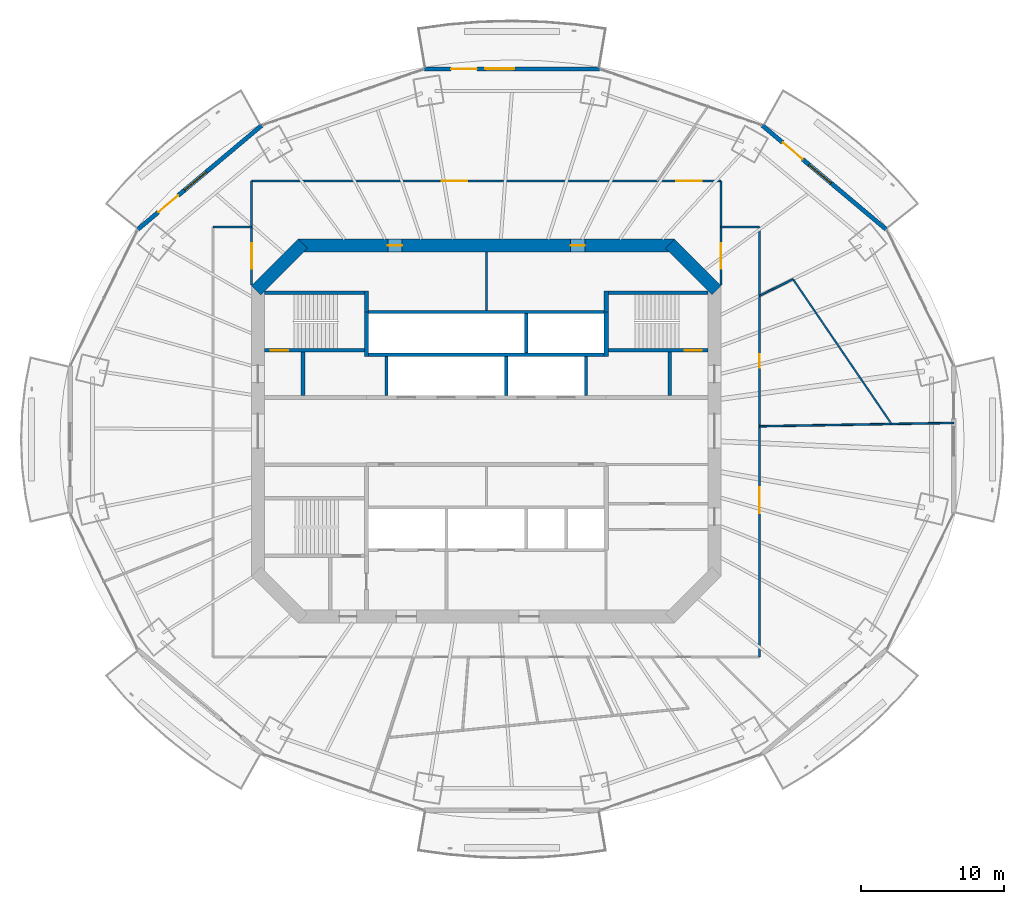
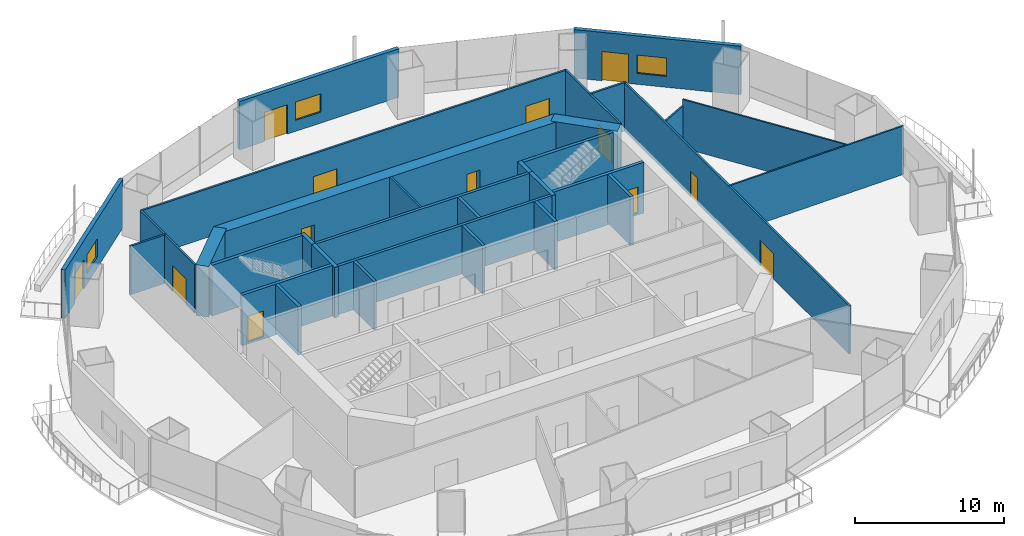
# One storey, part 14 of 21: 32 walls, 13 doors, 3 windows, 16 openings.
"""IFC4 building model written with IfcOpenShell, lengths in metres."""

import ifcopenshell
import ifcopenshell.guid

model = None  # the IFC model being written
_history = None  # IfcOwnerHistory: only IFC2X3 demands one
_inside = {}  # id of a spatial element -> (the spatial element, [elements in it])
_under = {}  # id of a project, library or spatial element -> (it, [spatial elements below it])
_declared = {}  # id of a project -> (the project, [libraries it declares])
_typed = {}  # id of a type object -> (the type object, [elements of that type])
_made_of = {}  # id of a material, layer set ... -> (it, [elements and type objects made of it])


def new_model(schema):
    """Start an empty IFC model of exactly this schema.

    Asked for "IFC4X3", IfcOpenShell would pick the latest addendum, in which some entities
    have other attributes; the version numbers below select the first issue.
    IFC2X3 requires an IfcOwnerHistory on every rooted entity: one is made here for all.
    """
    global model, _history
    if schema == "IFC4X3":
        model = ifcopenshell.file(schema_version=(4, 3, 0, 0))
    else:
        model = ifcopenshell.file(schema=schema)
    _inside.clear()
    _under.clear()
    _declared.clear()
    _typed.clear()
    _made_of.clear()
    _history = None
    if model.schema == "IFC2X3":
        org = make("IfcOrganization", Name="unknown")
        user = make(
            "IfcPersonAndOrganization",
            ThePerson=make("IfcPerson", FamilyName="unknown"),
            TheOrganization=org,
        )
        app = make(
            "IfcApplication",
            ApplicationDeveloper=org,
            Version="unknown",
            ApplicationFullName="unknown",
            ApplicationIdentifier="unknown",
        )
        _history = make(
            "IfcOwnerHistory",
            OwningUser=user,
            OwningApplication=app,
            ChangeAction="ADDED",
            CreationDate=0,
        )
    return model


def make(cls, **values):
    """One entity of the class cls with the attributes given. An attribute that is None is left unset."""
    return model.create_entity(
        cls, **{name: value for name, value in values.items() if value is not None}
    )


def rooted(cls, **values):
    """An entity with a GlobalId (a new one), such as an element, a storey or a relation."""
    return make(cls, GlobalId=ifcopenshell.guid.new(), OwnerHistory=_history, **values)


def si_unit(unit_type, name, prefix=None):
    """IfcSIUnit, for example si_unit("LENGTHUNIT", "METRE", prefix="MILLI")."""
    return make("IfcSIUnit", UnitType=unit_type, Prefix=prefix, Name=name)


def assignment(units):
    """IfcUnitAssignment: the units of a project."""
    return None if units is None else make("IfcUnitAssignment", Units=units)


def point(xyz):
    """IfcCartesianPoint."""
    return None if xyz is None else make("IfcCartesianPoint", Coordinates=xyz)


def direction(xyz):
    """IfcDirection."""
    return None if xyz is None else make("IfcDirection", DirectionRatios=xyz)


def frame(location, z_axis=None, x_axis=None):
    """IfcAxis2Placement3D, a coordinate frame: its origin and axes. An axis left out is left unset."""
    return make(
        "IfcAxis2Placement3D",
        Location=point(location),
        Axis=direction(z_axis),
        RefDirection=direction(x_axis),
    )


def frame_2d(location, x_axis=None):
    """IfcAxis2Placement2D, a coordinate frame in the plane: its origin and x axis."""
    return make(
        "IfcAxis2Placement2D", Location=point(location), RefDirection=direction(x_axis)
    )


def origin():
    """The frame at (0, 0, 0) with its axes left unset."""
    return frame((0.0, 0.0, 0.0))


def place(relative_to, where):
    """IfcLocalPlacement: puts the frame where relative to a parent placement (None: the world)."""
    return make(
        "IfcLocalPlacement", PlacementRelTo=relative_to, RelativePlacement=where
    )


def context(
    kind, dimensions, precision=None, world=None, true_north=None, identifier=None
):
    """IfcGeometricRepresentationContext, for example the 3D "Model" context."""
    return make(
        "IfcGeometricRepresentationContext",
        ContextIdentifier=identifier,
        ContextType=kind,
        CoordinateSpaceDimension=dimensions,
        Precision=precision,
        WorldCoordinateSystem=world,
        TrueNorth=true_north,
    )


def subcontext(parent, identifier, kind, view, scale=None):
    """IfcGeometricRepresentationSubContext, for example "Body" below "Model"."""
    return make(
        "IfcGeometricRepresentationSubContext",
        ContextIdentifier=identifier,
        ContextType=kind,
        ParentContext=parent,
        TargetScale=scale,
        TargetView=view,
    )


def project(units=None, contexts=None):
    """IfcProject with its units and contexts."""
    return rooted(
        "IfcProject",
        Name="project",
        RepresentationContexts=contexts,
        UnitsInContext=assignment(units),
    )


def spatial(cls, under=None, at=None, **own):
    """A site, building, storey or space (cls), placed at a placement, below another one or the project."""
    s = rooted(cls, ObjectPlacement=at, **own)
    if under is not None:
        _under.setdefault(under.id(), (under, []))[1].append(s)
    return s


def profile(cls, at=None, kind="AREA", **sizes):
    """A parametric profile (cls). Its sizes go by their IFC names, for example OverallWidth=200.0."""
    return make(cls, ProfileType=kind, Position=at, **sizes)


def rectangle(**sizes):
    """IfcRectangleProfileDef."""
    return profile("IfcRectangleProfileDef", **sizes)


def extrude(swept, where, along, depth):
    """IfcExtrudedAreaSolid: the profile swept, set in the frame where, extruded along a direction by depth."""
    return make(
        "IfcExtrudedAreaSolid",
        SweptArea=swept,
        Position=where,
        ExtrudedDirection=direction(along),
        Depth=depth,
    )


def shape(context_of_items, identifier, shape_type, items):
    """IfcShapeRepresentation: the items that make up one representation, for example the "Body"."""
    return make(
        "IfcShapeRepresentation",
        ContextOfItems=context_of_items,
        RepresentationIdentifier=identifier,
        RepresentationType=shape_type,
        Items=items,
    )


def material(Name=None, Category=None):
    """IfcMaterial."""
    return make("IfcMaterial", Name=Name, Category=Category)


def layer(
    of_material, thickness, ventilated=None, Name=None, Category=None, Priority=None
):
    """IfcMaterialLayer: one layer of a wall or slab, of a material (None: an air gap)."""
    return make(
        "IfcMaterialLayer",
        Material=of_material,
        LayerThickness=thickness,
        IsVentilated=ventilated,
        Name=Name,
        Category=Category,
        Priority=Priority,
    )


def layer_set(layers, Name=None):
    """IfcMaterialLayerSet."""
    return make("IfcMaterialLayerSet", MaterialLayers=layers, LayerSetName=Name)


def made_of(thing, what):
    """Note that an element or type object is made of a material, layer set ...; save() writes the relation."""
    if what is not None:
        _made_of.setdefault(what.id(), (what, []))[1].append(thing)
    return thing


def type_object(cls, material=None, **own):
    """A type object (cls), such as IfcWallType, which elements share."""
    return made_of(rooted(cls, **own), material)


def element(
    cls,
    number,
    at=None,
    inside=None,
    cuts=None,
    type_object=None,
    material=None,
    context=None,
    identifier="Body",
    shape_type=None,
    held_by="IfcProductDefinitionShape",
    body=None,
    shapes=None,
    **own,
):
    """One element of the class cls, such as IfcWall. Its Tag is "e" and its number.

    at: its placement. inside: the storey or other place that contains it. cuts: it is an
    opening in that element (IfcRelVoidsElement). A single representation is given by context,
    identifier, shape_type and body (its items); several are given by shapes. held_by: the class
    of the entity that holds the representations. save() writes the other relations.
    """
    e = rooted(cls, Tag="e%d" % number, ObjectPlacement=at, **own)
    if body is not None:
        shapes = [shape(context, identifier, shape_type, body)]
    if shapes is not None:
        e.Representation = make(held_by, Representations=shapes)
    if inside is not None:
        _inside.setdefault(inside.id(), (inside, []))[1].append(e)
    if cuts is not None:
        rooted(
            "IfcRelVoidsElement", RelatingBuildingElement=cuts, RelatedOpeningElement=e
        )
    if type_object is not None:
        _typed.setdefault(type_object.id(), (type_object, []))[1].append(e)
    return made_of(e, material)


def fill(opening, filler):
    """IfcRelFillsElement: the door or window that sits in an opening."""
    return rooted(
        "IfcRelFillsElement",
        RelatingOpeningElement=opening,
        RelatedBuildingElement=filler,
    )


def aggregate(whole, parts):
    """IfcRelAggregates: a whole, such as a stair, and the parts it consists of."""
    return rooted("IfcRelAggregates", RelatingObject=whole, RelatedObjects=parts)


def save(model, path):
    """Write the relations noted so far, then the file.

    IfcRelAggregates (storeys below a building ...), IfcRelContainedInSpatialStructure (elements
    in a storey), IfcRelDefinesByType, IfcRelAssociatesMaterial and IfcRelDeclares: one each for
    every whole, place, type object, material and project.
    """
    for whole, parts in _under.values():
        aggregate(whole, parts)
    for where, things in _inside.values():
        rooted(
            "IfcRelContainedInSpatialStructure",
            RelatedElements=things,
            RelatingStructure=where,
        )
    for kind, things in _typed.values():
        rooted("IfcRelDefinesByType", RelatedObjects=things, RelatingType=kind)
    for what, things in _made_of.values():
        rooted("IfcRelAssociatesMaterial", RelatedObjects=things, RelatingMaterial=what)
    for by, libraries in _declared.values():
        rooted("IfcRelDeclares", RelatingContext=by, RelatedDefinitions=libraries)
    model.write(path)


model = new_model("IFC4")

# Units and contexts
model_context = context("Model", 3, precision=1e-05, world=origin(), true_north=direction((0.0, 1.0)))
body_context = subcontext(model_context, "Body", "Model", "MODEL_VIEW")
ifc_project = project(units=[si_unit("LENGTHUNIT", "METRE"), si_unit("AREAUNIT", "SQUARE_METRE"), si_unit("VOLUMEUNIT", "CUBIC_METRE"), si_unit("PLANEANGLEUNIT", "RADIAN"), si_unit("MASSUNIT", "GRAM", prefix="KILO")], contexts=[model_context])

# Site, building, storey
site_placement = place(None, origin())
site = spatial("IfcSite", under=ifc_project, at=site_placement, CompositionType="ELEMENT")
building_placement = place(site_placement, origin())
building = spatial("IfcBuilding", under=site, at=building_placement, Name="Marenthal Gate Tower", CompositionType="ELEMENT")
storey_placement = place(building_placement, frame((0.0, 0.0, 202.550048828125)))
storey = spatial("IfcBuildingStorey", under=building, at=storey_placement, Name="L44", CompositionType="ELEMENT", Elevation=202.550048828125)

# Wall
ifc_material_1 = material(Name="Concrete 60 MPa", Category="concrete")
ifc_layer_1 = layer(ifc_material_1, 0.89990234375)
ifc_layer_set_1 = layer_set([ifc_layer_1], Name="Core shear wall 900")
wall_type_1 = type_object("IfcWallType", Name="Core shear wall 900", PredefinedType="SHEAR", material=ifc_layer_set_1)
wall_1_placement = place(storey_placement, frame((16.1318359375, 9.8681640625, -0.179931640625), z_axis=(0.0, 0.0, 1.0), x_axis=(-0.707106781187, 0.707106781187, 0.0)))
element("IfcWall", 1, at=wall_1_placement, inside=storey, type_object=wall_type_1, Name="Core wall 03", PredefinedType="SHEAR", context=body_context, shape_type="SweptSolid", body=[
    extrude(rectangle(XDim=4.615478515625, YDim=0.89990234375, at=frame_2d((2.3076171875, 0.0))), origin(), (0.0, 0.0, 1.0), 4.14990234375),
])

# Wall, openings, doors
wall_2_placement = place(storey_placement, frame((13.186279296875, 13.0, -0.179931640625), z_axis=(0.0, 0.0, 1.0), x_axis=(-1.0, 0.0, 0.0)))
wall_2 = element("IfcWall", 2, at=wall_2_placement, inside=storey, type_object=wall_type_1, Name="Core wall 04", PredefinedType="SHEAR", context=body_context, shape_type="SweptSolid", body=[
    extrude(rectangle(XDim=26.37255859375, YDim=0.89990234375, at=frame_2d((13.186279296875, 0.0))), origin(), (0.0, 0.0, 1.0), 4.14990234375),
])
opening_1_placement = place(wall_2_placement, frame((19.093505859375, 0.0, 0.179931640625)))
opening_1 = element("IfcOpeningElement", 3, at=opening_1_placement, cuts=wall_2, Name="Opening D005.03", PredefinedType="OPENING", context=body_context, shape_type="SweptSolid", body=[
    extrude(rectangle(XDim=1.0, YDim=2.10009765625, at=frame_2d((0.5, 1.050048828125))), frame((0.0, 0.4599609375, 0.0), z_axis=(0.0, -1.0, 0.0), x_axis=(1.0, 0.0, 0.0)), (0.0, 0.0, 1.0), 0.919921875),
])
opening_2_placement = place(wall_2_placement, frame((6.279296875, 0.0, 0.179931640625)))
opening_2 = element("IfcOpeningElement", 4, at=opening_2_placement, cuts=wall_2, Name="Opening D005.04", PredefinedType="OPENING", context=body_context, shape_type="SweptSolid", body=[
    extrude(rectangle(XDim=1.0, YDim=2.10009765625, at=frame_2d((0.5, 1.050048828125))), frame((0.0, 0.4599609375, 0.0), z_axis=(0.0, -1.0, 0.0), x_axis=(1.0, 0.0, 0.0)), (0.0, 0.0, 1.0), 0.919921875),
])
ifc_material_2 = material(Name="Steel fire door", Category="steel")
door_type_1 = type_object("IfcDoorType", Name="Fire door FD 45 1000 x 2100", OperationType="NOTDEFINED", PredefinedType="DOOR", material=ifc_material_2)
door_1_placement = place(opening_1_placement, origin())
door_1 = element("IfcDoor", 5, at=door_1_placement, inside=storey, type_object=door_type_1, Name="Door D005.03", OperationType="SINGLE_SWING_RIGHT", OverallHeight=2.10009765625, OverallWidth=1.0, PredefinedType="DOOR", context=body_context, shape_type="SweptSolid", body=[
    extrude(rectangle(XDim=1.0, YDim=2.10009765625, at=frame_2d((0.5, 1.050048828125))), frame((0.0, 0.02490234375, 0.0), z_axis=(0.0, -1.0, 0.0), x_axis=(1.0, 0.0, 0.0)), (0.0, 0.0, 1.0), 0.050048828125),
])
fill(opening_1, door_1)
door_2_placement = place(opening_2_placement, origin())
door_2 = element("IfcDoor", 6, at=door_2_placement, inside=storey, type_object=door_type_1, Name="Door D005.04", OperationType="SINGLE_SWING_RIGHT", OverallHeight=2.10009765625, OverallWidth=1.0, PredefinedType="DOOR", context=body_context, shape_type="SweptSolid", body=[
    extrude(rectangle(XDim=1.0, YDim=2.10009765625, at=frame_2d((0.5, 1.050048828125))), frame((0.0, 0.02490234375, 0.0), z_axis=(0.0, -1.0, 0.0), x_axis=(1.0, 0.0, 0.0)), (0.0, 0.0, 1.0), 0.050048828125),
])
fill(opening_2, door_2)

# Walls
wall_3_placement = place(storey_placement, frame((-12.8681640625, 13.1318359375, -0.179931640625), z_axis=(0.0, 0.0, 1.0), x_axis=(-0.707106781187, -0.707106781187, 0.0)))
element("IfcWall", 7, at=wall_3_placement, inside=storey, type_object=wall_type_1, Name="Core wall 05", PredefinedType="SHEAR", context=body_context, shape_type="SweptSolid", body=[
    extrude(rectangle(XDim=4.615478515625, YDim=0.89990234375, at=frame_2d((2.3076171875, 0.0))), origin(), (0.0, 0.0, 1.0), 4.14990234375),
])
ifc_material_3 = material(Name="Concrete 50 MPa", Category="concrete")
ifc_layer_2 = layer(ifc_material_3, 0.300048828125)
ifc_layer_set_2 = layer_set([ifc_layer_2], Name="Hoistway shear wall 300")
wall_type_2 = type_object("IfcWallType", Name="Hoistway shear wall 300", PredefinedType="SHEAR", material=ifc_layer_set_2)
for number, where, z_axis, x_axis, name in (
    (8, (-8.39990234375, 5.239990234375, -0.179931640625), (0.0, 0.0, 1.0), (0.0, 1.0, 0.0), "Hoistway wall 32"),
    (9, (8.39990234375, 5.239990234375, -0.179931640625), (0.0, 0.0, 1.0), (0.0, 1.0, 0.0), "Hoistway wall 46"),
):
    element("IfcWall", number, at=place(storey_placement, frame(where, z_axis=z_axis, x_axis=x_axis)), inside=storey, type_object=wall_type_2, Name=name, PredefinedType="SHEAR", context=body_context, shape_type="SweptSolid", body=[
        extrude(rectangle(XDim=3.110107421875, YDim=0.300048828125, at=frame_2d((1.55517578125, 0.0))), origin(), (0.0, 0.0, 1.0), 4.14990234375),
    ])
ifc_material_4 = material(Name="Concrete 40 MPa", Category="concrete")
ifc_layer_3 = layer(ifc_material_4, 0.219970703125)
ifc_layer_set_3 = layer_set([ifc_layer_3], Name="Hoistway wall 220")
wall_type_3 = type_object("IfcWallType", Name="Hoistway wall 220", PredefinedType="STANDARD", material=ifc_layer_set_3)
for number, where, z_axis, x_axis, name in (
    (10, (-8.25, 5.35009765625, 0.0), (0.0, 0.0, 1.0), (1.0, 0.0, 0.0), "Hoistway wall 22"),
    (11, (-8.25, 8.35009765625, 0.0), (0.0, 0.0, 1.0), (1.0, 0.0, 0.0), "Hoistway wall 25"),
):
    element("IfcWall", number, at=place(storey_placement, frame(where, z_axis=z_axis, x_axis=x_axis)), inside=storey, type_object=wall_type_3, Name=name, PredefinedType="STANDARD", context=body_context, shape_type="SweptSolid", body=[
        extrude(rectangle(XDim=16.5, YDim=0.219970703125, at=frame_2d((8.25, 0.0))), origin(), (0.0, 0.0, 1.0), 3.969970703125),
    ])
for number, where, z_axis, x_axis, name in (
    (12, (-7.0, 2.5, 0.0), (0.0, 0.0, 1.0), (0.0, 1.0, 0.0), "Hoistway wall 34"),
    (13, (1.39990234375, 2.5, 0.0), (0.0, 0.0, 1.0), (0.0, 1.0, 0.0), "Hoistway wall 39"),
):
    element("IfcWall", number, at=place(storey_placement, frame(where, z_axis=z_axis, x_axis=x_axis)), inside=storey, type_object=wall_type_3, Name=name, PredefinedType="STANDARD", context=body_context, shape_type="SweptSolid", body=[
        extrude(rectangle(XDim=2.739990234375, YDim=0.219970703125, at=frame_2d((1.3701171875, 0.0))), origin(), (0.0, 0.0, 1.0), 3.969970703125),
    ])
wall_4_placement = place(storey_placement, frame((2.800048828125, 5.4599609375, 0.0), z_axis=(0.0, 0.0, 1.0), x_axis=(0.0, 1.0, 0.0)))
element("IfcWall", 14, at=wall_4_placement, inside=storey, type_object=wall_type_3, Name="Hoistway wall 41", PredefinedType="STANDARD", context=body_context, shape_type="SweptSolid", body=[
    extrude(rectangle(XDim=2.780029296875, YDim=0.219970703125, at=frame_2d((1.39013671875, 0.0))), origin(), (0.0, 0.0, 1.0), 3.969970703125),
])
wall_5_placement = place(storey_placement, frame((7.0, 2.5, 0.0), z_axis=(0.0, 0.0, 1.0), x_axis=(0.0, 1.0, 0.0)))
element("IfcWall", 15, at=wall_5_placement, inside=storey, type_object=wall_type_3, Name="Hoistway wall 43", PredefinedType="STANDARD", context=body_context, shape_type="SweptSolid", body=[
    extrude(rectangle(XDim=2.739990234375, YDim=0.219970703125, at=frame_2d((1.3701171875, 0.0))), origin(), (0.0, 0.0, 1.0), 3.969970703125),
])
ifc_material_5 = material(Name="Gypsum board on steel studs", Category="steel")
ifc_layer_4 = layer(ifc_material_5, 0.1201171875)
ifc_layer_set_4 = layer_set([ifc_layer_4], Name="Partition 120")
wall_type_4 = type_object("IfcWallType", Name="Partition 120", PredefinedType="PARTITIONING", material=ifc_layer_set_4)
wall_6_placement = place(storey_placement, frame((19.14990234375, 0.33251953125, 0.0), z_axis=(0.0, 0.0, 1.0), x_axis=(0.999849395868, 0.01735469912, 0.0)))
element("IfcWall", 16, at=wall_6_placement, inside=storey, type_object=wall_type_4, Name="Partition wall 65", PredefinedType="PARTITIONING", context=body_context, shape_type="SweptSolid", body=[
    extrude(rectangle(XDim=13.617431640625, YDim=0.1201171875, at=frame_2d((6.80859375, 0.0))), origin(), (0.0, 0.0, 1.0), 3.969970703125),
])
wall_7_placement = place(storey_placement, frame((21.502685546875, 10.64111328125, 0.0), z_axis=(0.0, 0.0, 1.0), x_axis=(-0.896298018084, -0.443452210254, 0.0)))
element("IfcWall", 17, at=wall_7_placement, inside=storey, type_object=wall_type_4, Name="Partition wall 67", PredefinedType="PARTITIONING", context=body_context, shape_type="SweptSolid", body=[
    extrude(rectangle(XDim=2.625, YDim=0.1201171875, at=frame_2d((1.3125, 0.0))), origin(), (0.0, 0.0, 1.0), 3.426025390625),
])
wall_8_placement = place(storey_placement, frame((28.408447265625, 0.493408203125, 0.0), z_axis=(0.0, 0.0, 1.0), x_axis=(-0.562606484452, 0.826724829464, 0.0)))
element("IfcWall", 18, at=wall_8_placement, inside=storey, type_object=wall_type_4, Name="Partition wall 68", PredefinedType="PARTITIONING", context=body_context, shape_type="SweptSolid", body=[
    extrude(rectangle(XDim=12.274658203125, YDim=0.1201171875, at=frame_2d((6.13720703125, 0.0))), origin(), (0.0, 0.0, 1.0), 3.969970703125),
])
ifc_material_6 = material(Name="Gypsum board on steel studs", Category="steel")
ifc_layer_5 = layer(ifc_material_6, 0.14990234375)
ifc_layer_set_5 = layer_set([ifc_layer_5], Name="Partition 150")
wall_type_5 = type_object("IfcWallType", Name="Partition 150", PredefinedType="PARTITIONING", material=ifc_layer_set_5)
wall_9_placement = place(storey_placement, frame((0.0, 8.4599609375, 0.0), z_axis=(0.0, 0.0, 1.0), x_axis=(0.0, 1.0, 0.0)))
element("IfcWall", 19, at=wall_9_placement, inside=storey, type_object=wall_type_5, Name="Partition wall 38", PredefinedType="PARTITIONING", context=body_context, shape_type="SweptSolid", body=[
    extrude(rectangle(XDim=4.090087890625, YDim=0.14990234375, at=frame_2d((2.044921875, 0.0))), origin(), (0.0, 0.0, 1.0), 3.969970703125),
])
wall_10_placement = place(storey_placement, frame((-19.14990234375, 14.30126953125, 0.0), z_axis=(0.0, 0.0, 1.0), x_axis=(1.0, 0.0, 0.0)))
element("IfcWall", 20, at=wall_10_placement, inside=storey, type_object=wall_type_5, Name="Partition wall 51", PredefinedType="PARTITIONING", context=body_context, shape_type="SweptSolid", body=[
    extrude(rectangle(XDim=2.699951171875, YDim=0.14990234375, at=frame_2d((1.35009765625, 0.0))), origin(), (0.0, 0.0, 1.0), 3.969970703125),
])

# Wall, opening, door
wall_11_placement = place(storey_placement, frame((-16.449951171875, 10.25, 0.0), z_axis=(0.0, 0.0, 1.0), x_axis=(0.0, 1.0, 0.0)))
wall_11 = element("IfcWall", 21, at=wall_11_placement, inside=storey, type_object=wall_type_5, Name="Partition wall 52", PredefinedType="PARTITIONING", context=body_context, shape_type="SweptSolid", body=[
    extrude(rectangle(XDim=7.284423828125, YDim=0.14990234375, at=frame_2d((3.64208984375, 0.0))), origin(), (0.0, 0.0, 1.0), 3.969970703125),
])
opening_3_placement = place(wall_11_placement, frame((1.1259765625, 0.0, 0.0)))
opening_3 = element("IfcOpeningElement", 22, at=opening_3_placement, cuts=wall_11, Name="Opening D014.05", PredefinedType="OPENING", context=body_context, shape_type="SweptSolid", body=[
    extrude(rectangle(XDim=1.800048828125, YDim=2.10009765625, at=frame_2d((0.89990234375, 1.050048828125))), frame((0.0, 0.0849609375, 0.0), z_axis=(0.0, -1.0, 0.0), x_axis=(1.0, 0.0, 0.0)), (0.0, 0.0, 1.0), 0.169921875),
])
ifc_material_7 = material(Name="Timber door", Category="wood")
door_type_2 = type_object("IfcDoorType", Name="Double door 1800 x 2100", OperationType="DOUBLE_DOOR_SINGLE_SWING", PredefinedType="DOOR", material=ifc_material_7)
door_3_placement = place(opening_3_placement, origin())
door_3 = element("IfcDoor", 23, at=door_3_placement, inside=storey, type_object=door_type_2, Name="Door D014.05", OperationType="DOUBLE_DOOR_SINGLE_SWING", OverallHeight=2.10009765625, OverallWidth=1.800048828125, PredefinedType="DOOR", context=body_context, shape_type="SweptSolid", body=[
    extrude(rectangle(XDim=1.800048828125, YDim=2.10009765625, at=frame_2d((0.89990234375, 1.050048828125))), frame((0.0, 0.02490234375, 0.0), z_axis=(0.0, -1.0, 0.0), x_axis=(1.0, 0.0, 0.0)), (0.0, 0.0, 1.0), 0.050048828125),
])
fill(opening_3, door_3)

# Wall, openings, doors
wall_12_placement = place(storey_placement, frame((-16.449951171875, 17.534423828125, 0.0), z_axis=(0.0, 0.0, 1.0), x_axis=(1.0, 0.0, 0.0)))
wall_12 = element("IfcWall", 24, at=wall_12_placement, inside=storey, type_object=wall_type_5, Name="Partition wall 53", PredefinedType="PARTITIONING", context=body_context, shape_type="SweptSolid", body=[
    extrude(rectangle(XDim=32.89990234375, YDim=0.14990234375, at=frame_2d((16.449951171875, 0.0))), origin(), (0.0, 0.0, 1.0), 3.969970703125),
])
opening_4_placement = place(wall_12_placement, frame((29.761962890625, 0.0, 0.0)))
opening_4 = element("IfcOpeningElement", 25, at=opening_4_placement, cuts=wall_12, Name="Opening D014.01", PredefinedType="OPENING", context=body_context, shape_type="SweptSolid", body=[
    extrude(rectangle(XDim=1.800048828125, YDim=2.10009765625, at=frame_2d((0.89990234375, 1.050048828125))), frame((0.0, 0.0849609375, 0.0), z_axis=(0.0, -1.0, 0.0), x_axis=(1.0, 0.0, 0.0)), (0.0, 0.0, 1.0), 0.169921875),
])
opening_5_placement = place(wall_12_placement, frame((13.31201171875, 0.0, 0.0)))
opening_5 = element("IfcOpeningElement", 26, at=opening_5_placement, cuts=wall_12, Name="Opening D014.02", PredefinedType="OPENING", context=body_context, shape_type="SweptSolid", body=[
    extrude(rectangle(XDim=1.800048828125, YDim=2.10009765625, at=frame_2d((0.89990234375, 1.050048828125))), frame((0.0, 0.0849609375, 0.0), z_axis=(0.0, -1.0, 0.0), x_axis=(1.0, 0.0, 0.0)), (0.0, 0.0, 1.0), 0.169921875),
])
door_4_placement = place(opening_4_placement, origin())
door_4 = element("IfcDoor", 27, at=door_4_placement, inside=storey, type_object=door_type_2, Name="Door D014.01", OperationType="DOUBLE_DOOR_SINGLE_SWING", OverallHeight=2.10009765625, OverallWidth=1.800048828125, PredefinedType="DOOR", context=body_context, shape_type="SweptSolid", body=[
    extrude(rectangle(XDim=1.800048828125, YDim=2.10009765625, at=frame_2d((0.89990234375, 1.050048828125))), frame((0.0, 0.02490234375, 0.0), z_axis=(0.0, -1.0, 0.0), x_axis=(1.0, 0.0, 0.0)), (0.0, 0.0, 1.0), 0.050048828125),
])
fill(opening_4, door_4)
door_5_placement = place(opening_5_placement, origin())
door_5 = element("IfcDoor", 28, at=door_5_placement, inside=storey, type_object=door_type_2, Name="Door D014.02", OperationType="DOUBLE_DOOR_SINGLE_SWING", OverallHeight=2.10009765625, OverallWidth=1.800048828125, PredefinedType="DOOR", context=body_context, shape_type="SweptSolid", body=[
    extrude(rectangle(XDim=1.800048828125, YDim=2.10009765625, at=frame_2d((0.89990234375, 1.050048828125))), frame((0.0, 0.02490234375, 0.0), z_axis=(0.0, -1.0, 0.0), x_axis=(1.0, 0.0, 0.0)), (0.0, 0.0, 1.0), 0.050048828125),
])
fill(opening_5, door_5)

# Wall, opening, door
wall_13_placement = place(storey_placement, frame((16.449951171875, 10.25, 0.0), z_axis=(0.0, 0.0, 1.0), x_axis=(0.0, 1.0, 0.0)))
wall_13 = element("IfcWall", 29, at=wall_13_placement, inside=storey, type_object=wall_type_5, Name="Partition wall 62", PredefinedType="PARTITIONING", context=body_context, shape_type="SweptSolid", body=[
    extrude(rectangle(XDim=7.284423828125, YDim=0.14990234375, at=frame_2d((3.64208984375, 0.0))), origin(), (0.0, 0.0, 1.0), 3.969970703125),
])
opening_6_placement = place(wall_13_placement, frame((1.1259765625, 0.0, 0.0)))
opening_6 = element("IfcOpeningElement", 30, at=opening_6_placement, cuts=wall_13, Name="Opening D014.06", PredefinedType="OPENING", context=body_context, shape_type="SweptSolid", body=[
    extrude(rectangle(XDim=1.800048828125, YDim=2.10009765625, at=frame_2d((0.89990234375, 1.050048828125))), frame((0.0, 0.0849609375, 0.0), z_axis=(0.0, -1.0, 0.0), x_axis=(1.0, 0.0, 0.0)), (0.0, 0.0, 1.0), 0.169921875),
])
door_6_placement = place(opening_6_placement, origin())
door_6 = element("IfcDoor", 31, at=door_6_placement, inside=storey, type_object=door_type_2, Name="Door D014.06", OperationType="DOUBLE_DOOR_SINGLE_SWING", OverallHeight=2.10009765625, OverallWidth=1.800048828125, PredefinedType="DOOR", context=body_context, shape_type="SweptSolid", body=[
    extrude(rectangle(XDim=1.800048828125, YDim=2.10009765625, at=frame_2d((0.89990234375, 1.050048828125))), frame((0.0, 0.02490234375, 0.0), z_axis=(0.0, -1.0, 0.0), x_axis=(1.0, 0.0, 0.0)), (0.0, 0.0, 1.0), 0.050048828125),
])
fill(opening_6, door_6)

# Wall
wall_14_placement = place(storey_placement, frame((16.449951171875, 14.30126953125, 0.0), z_axis=(0.0, 0.0, 1.0), x_axis=(1.0, 0.0, 0.0)))
element("IfcWall", 32, at=wall_14_placement, inside=storey, type_object=wall_type_5, Name="Partition wall 63", PredefinedType="PARTITIONING", context=body_context, shape_type="SweptSolid", body=[
    extrude(rectangle(XDim=2.699951171875, YDim=0.14990234375, at=frame_2d((1.35009765625, 0.0))), origin(), (0.0, 0.0, 1.0), 3.969970703125),
])

# Wall, openings, doors
wall_15_placement = place(storey_placement, frame((19.14990234375, 14.30126953125, 0.0), z_axis=(0.0, 0.0, 1.0), x_axis=(0.0, -1.0, 0.0)))
wall_15 = element("IfcWall", 33, at=wall_15_placement, inside=storey, type_object=wall_type_5, Name="Partition wall 66", PredefinedType="PARTITIONING", context=body_context, shape_type="SweptSolid", body=[
    extrude(rectangle(XDim=30.1513671875, YDim=0.14990234375, at=frame_2d((15.07568359375, 0.0))), origin(), (0.0, 0.0, 1.0), 3.969970703125),
])
opening_7_placement = place(wall_15_placement, frame((8.9208984375, 0.0, 0.0)))
opening_7 = element("IfcOpeningElement", 34, at=opening_7_placement, cuts=wall_15, Name="Opening D016.01", PredefinedType="OPENING", context=body_context, shape_type="SweptSolid", body=[
    extrude(rectangle(XDim=0.949951171875, YDim=2.10009765625, at=frame_2d((0.47509765625, 1.050048828125))), frame((0.0, 0.0849609375, 0.0), z_axis=(0.0, -1.0, 0.0), x_axis=(1.0, 0.0, 0.0)), (0.0, 0.0, 1.0), 0.169921875),
])
opening_8_placement = place(wall_15_placement, frame((18.260009765625, 0.0, 0.0)))
opening_8 = element("IfcOpeningElement", 35, at=opening_8_placement, cuts=wall_15, Name="Opening D014.04", PredefinedType="OPENING", context=body_context, shape_type="SweptSolid", body=[
    extrude(rectangle(XDim=1.800048828125, YDim=2.10009765625, at=frame_2d((0.89990234375, 1.050048828125))), frame((0.0, 0.0849609375, 0.0), z_axis=(0.0, -1.0, 0.0), x_axis=(1.0, 0.0, 0.0)), (0.0, 0.0, 1.0), 0.169921875),
])
ifc_material_8 = material(Name="Timber door", Category="wood")
door_type_3 = type_object("IfcDoorType", Name="Door 950 x 2100", OperationType="NOTDEFINED", PredefinedType="DOOR", material=ifc_material_8)
door_7_placement = place(opening_7_placement, origin())
door_7 = element("IfcDoor", 36, at=door_7_placement, inside=storey, type_object=door_type_3, Name="Door D016.01", OperationType="SINGLE_SWING_RIGHT", OverallHeight=2.10009765625, OverallWidth=0.949951171875, PredefinedType="DOOR", context=body_context, shape_type="SweptSolid", body=[
    extrude(rectangle(XDim=0.949951171875, YDim=2.10009765625, at=frame_2d((0.47509765625, 1.050048828125))), frame((0.0, 0.02490234375, 0.0), z_axis=(0.0, -1.0, 0.0), x_axis=(1.0, 0.0, 0.0)), (0.0, 0.0, 1.0), 0.050048828125),
])
fill(opening_7, door_7)
door_8_placement = place(opening_8_placement, origin())
door_8 = element("IfcDoor", 37, at=door_8_placement, inside=storey, type_object=door_type_2, Name="Door D014.04", OperationType="DOUBLE_DOOR_SINGLE_SWING", OverallHeight=2.10009765625, OverallWidth=1.800048828125, PredefinedType="DOOR", context=body_context, shape_type="SweptSolid", body=[
    extrude(rectangle(XDim=1.800048828125, YDim=2.10009765625, at=frame_2d((0.89990234375, 1.050048828125))), frame((0.0, 0.02490234375, 0.0), z_axis=(0.0, -1.0, 0.0), x_axis=(1.0, 0.0, 0.0)), (0.0, 0.0, 1.0), 0.050048828125),
])
fill(opening_8, door_8)

# Walls
ifc_material_9 = material(Name="Concrete 40 MPa", Category="concrete")
ifc_layer_6 = layer(ifc_material_9, 0.25)
ifc_layer_set_6 = layer_set([ifc_layer_6], Name="Stair enclosure wall 250")
wall_type_6 = type_object("IfcWallType", Name="Stair enclosure wall 250", PredefinedType="STANDARD", material=ifc_layer_set_6)
for number, where, z_axis, x_axis, name in (
    (38, (-12.85009765625, 2.47509765625, 0.0), (0.0, 0.0, 1.0), (0.0, 1.0, 0.0), "Stair wall 28"),
    (39, (12.85009765625, 2.47509765625, 0.0), (0.0, 0.0, 1.0), (0.0, 1.0, 0.0), "Stair wall 48"),
):
    element("IfcWall", number, at=place(storey_placement, frame(where, z_axis=z_axis, x_axis=x_axis)), inside=storey, type_object=wall_type_6, Name=name, PredefinedType="STANDARD", context=body_context, shape_type="SweptSolid", body=[
        extrude(rectangle(XDim=3.0498046875, YDim=0.25, at=frame_2d((1.52490234375, 0.0))), origin(), (0.0, 0.0, 1.0), 3.969970703125),
    ])

# Wall, opening, door
ifc_material_10 = material(Name="Concrete 50 MPa", Category="concrete")
ifc_layer_7 = layer(ifc_material_10, 0.25)
ifc_layer_set_7 = layer_set([ifc_layer_7], Name="Stair shear wall 250")
wall_type_7 = type_object("IfcWallType", Name="Stair shear wall 250", PredefinedType="SHEAR", material=ifc_layer_set_7)
wall_16_placement = place(storey_placement, frame((-15.550048828125, 5.64990234375, -0.179931640625), z_axis=(0.0, 0.0, 1.0), x_axis=(1.0, 0.0, 0.0)))
wall_16 = element("IfcWall", 40, at=wall_16_placement, inside=storey, type_object=wall_type_7, Name="Stair wall 23", PredefinedType="SHEAR", context=body_context, shape_type="SweptSolid", body=[
    extrude(rectangle(XDim=7.0, YDim=0.25, at=frame_2d((3.5, 0.0))), origin(), (0.0, 0.0, 1.0), 4.14990234375),
])
opening_9_placement = place(wall_16_placement, frame((0.449951171875, 0.0, 0.179931640625)))
opening_9 = element("IfcOpeningElement", 41, at=opening_9_placement, cuts=wall_16, Name="Opening D001.01", PredefinedType="OPENING", context=body_context, shape_type="SweptSolid", body=[
    extrude(rectangle(XDim=1.199951171875, YDim=2.10009765625, at=frame_2d((0.60009765625, 1.050048828125))), frame((0.0, 0.135009765625, 0.0), z_axis=(0.0, -1.0, 0.0), x_axis=(1.0, 0.0, 0.0)), (0.0, 0.0, 1.0), 0.27001953125),
])
ifc_material_11 = material(Name="Steel fire door", Category="steel")
door_type_4 = type_object("IfcDoorType", Name="Fire door FD 90 1200 x 2100", OperationType="NOTDEFINED", PredefinedType="DOOR", material=ifc_material_11)
door_9_placement = place(opening_9_placement, origin())
door_9 = element("IfcDoor", 42, at=door_9_placement, inside=storey, type_object=door_type_4, Name="Door D001.01", OperationType="SINGLE_SWING_RIGHT", OverallHeight=2.10009765625, OverallWidth=1.199951171875, PredefinedType="DOOR", context=body_context, shape_type="SweptSolid", body=[
    extrude(rectangle(XDim=1.199951171875, YDim=2.10009765625, at=frame_2d((0.60009765625, 1.050048828125))), frame((0.0, 0.02490234375, 0.0), z_axis=(0.0, -1.0, 0.0), x_axis=(1.0, 0.0, 0.0)), (0.0, 0.0, 1.0), 0.050048828125),
])
fill(opening_9, door_9)

wall_17_placement = place(storey_placement, frame((8.550048828125, 5.64990234375, -0.179931640625), z_axis=(0.0, 0.0, 1.0), x_axis=(1.0, 0.0, 0.0)))
wall_17 = element("IfcWall", 43, at=wall_17_placement, inside=storey, type_object=wall_type_7, Name="Stair wall 24", PredefinedType="SHEAR", context=body_context, shape_type="SweptSolid", body=[
    extrude(rectangle(XDim=7.0, YDim=0.25, at=frame_2d((3.5, 0.0))), origin(), (0.0, 0.0, 1.0), 4.14990234375),
])
opening_10_placement = place(wall_17_placement, frame((5.35009765625, 0.0, 0.179931640625)))
opening_10 = element("IfcOpeningElement", 44, at=opening_10_placement, cuts=wall_17, Name="Opening D001.02", PredefinedType="OPENING", context=body_context, shape_type="SweptSolid", body=[
    extrude(rectangle(XDim=1.199951171875, YDim=2.10009765625, at=frame_2d((0.60009765625, 1.050048828125))), frame((0.0, 0.135009765625, 0.0), z_axis=(0.0, -1.0, 0.0), x_axis=(1.0, 0.0, 0.0)), (0.0, 0.0, 1.0), 0.27001953125),
])
door_10_placement = place(opening_10_placement, origin())
door_10 = element("IfcDoor", 45, at=door_10_placement, inside=storey, type_object=door_type_4, Name="Door D001.02", OperationType="SINGLE_SWING_RIGHT", OverallHeight=2.10009765625, OverallWidth=1.199951171875, PredefinedType="DOOR", context=body_context, shape_type="SweptSolid", body=[
    extrude(rectangle(XDim=1.199951171875, YDim=2.10009765625, at=frame_2d((0.60009765625, 1.050048828125))), frame((0.0, 0.02490234375, 0.0), z_axis=(0.0, -1.0, 0.0), x_axis=(1.0, 0.0, 0.0)), (0.0, 0.0, 1.0), 0.050048828125),
])
fill(opening_10, door_10)

# Walls
for number, where, z_axis, x_axis, name in (
    (46, (-15.550048828125, 9.699951171875, -0.179931640625), (0.0, 0.0, 1.0), (1.0, 0.0, 0.0), "Stair wall 26"),
    (47, (8.550048828125, 9.699951171875, -0.179931640625), (0.0, 0.0, 1.0), (1.0, 0.0, 0.0), "Stair wall 27"),
):
    element("IfcWall", number, at=place(storey_placement, frame(where, z_axis=z_axis, x_axis=x_axis)), inside=storey, type_object=wall_type_7, Name=name, PredefinedType="SHEAR", context=body_context, shape_type="SweptSolid", body=[
        extrude(rectangle(XDim=7.0, YDim=0.25, at=frame_2d((3.5, 0.0))), origin(), (0.0, 0.0, 1.0), 4.14990234375),
    ])
ifc_material_12 = material(Name="Concrete 50 MPa", Category="concrete")
ifc_layer_8 = layer(ifc_material_12, 0.300048828125)
ifc_layer_set_8 = layer_set([ifc_layer_8], Name="Stair shear wall 300")
wall_type_8 = type_object("IfcWallType", Name="Stair shear wall 300", PredefinedType="SHEAR", material=ifc_layer_set_8)
for number, where, z_axis, x_axis, name in (
    (48, (-8.39990234375, 8.35009765625, -0.179931640625), (0.0, 0.0, 1.0), (0.0, 1.0, 0.0), "Stair wall 33"),
    (49, (8.39990234375, 8.35009765625, -0.179931640625), (0.0, 0.0, 1.0), (0.0, 1.0, 0.0), "Stair wall 47"),
):
    element("IfcWall", number, at=place(storey_placement, frame(where, z_axis=z_axis, x_axis=x_axis)), inside=storey, type_object=wall_type_8, Name=name, PredefinedType="SHEAR", context=body_context, shape_type="SweptSolid", body=[
        extrude(rectangle(XDim=1.474853515625, YDim=0.300048828125, at=frame_2d((0.7373046875, 0.0))), origin(), (0.0, 0.0, 1.0), 4.14990234375),
    ])

# Wall, openings, door, window
ifc_material_13 = material(Name="Terracotta cladding on insulated concrete-block backing", Category="masonry")
ifc_layer_9 = layer(ifc_material_13, 0.300048828125)
ifc_layer_set_9 = layer_set([ifc_layer_9], Name="Terracotta facade wall 300")
wall_type_9 = type_object("IfcWallType", Name="Terracotta facade wall 300", PredefinedType="SOLIDWALL", material=ifc_layer_set_9)
wall_18_placement = place(storey_placement, frame((28.05126953125, 14.119873046875, 0.0), z_axis=(0.0, 0.0, 1.0), x_axis=(-0.766004647457, 0.642835033329, 0.0)))
wall_18 = element("IfcWall", 50, at=wall_18_placement, inside=storey, type_object=wall_type_9, Name="Terracotta facade wall L44 bay 2", PredefinedType="SOLIDWALL", context=body_context, shape_type="SweptSolid", body=[
    extrude(rectangle(XDim=11.37158203125, YDim=0.300048828125, at=frame_2d((5.685791015625, 0.0))), origin(), (0.0, 0.0, 1.0), 3.969970703125),
])
opening_11_placement = place(wall_18_placement, frame((7.671630859375, 0.0, 0.0)))
opening_11 = element("IfcOpeningElement", 51, at=opening_11_placement, cuts=wall_18, Name="Opening BD-L44-02", PredefinedType="OPENING", context=body_context, shape_type="SweptSolid", body=[
    extrude(rectangle(XDim=1.800048828125, YDim=2.39990234375, at=frame_2d((0.89990234375, 1.199951171875))), frame((0.0, 0.16015625, 0.0), z_axis=(0.0, -1.0, 0.0), x_axis=(1.0, 0.0, 0.0)), (0.0, 0.0, 1.0), 0.320068359375),
])
opening_12_placement = place(wall_18_placement, frame((5.071533203125, 0.0, 0.89990234375)))
opening_12 = element("IfcOpeningElement", 52, at=opening_12_placement, cuts=wall_18, Name="Opening WN2-L44-02", PredefinedType="OPENING", context=body_context, shape_type="SweptSolid", body=[
    extrude(rectangle(XDim=2.0, YDim=1.5, at=frame_2d((1.0, 0.75))), frame((0.0, 0.16015625, 0.0), z_axis=(0.0, -1.0, 0.0), x_axis=(1.0, 0.0, 0.0)), (0.0, 0.0, 1.0), 0.320068359375),
])
ifc_material_14 = material(Name="Aluminium and glass", Category="aluminium")
door_type_5 = type_object("IfcDoorType", Name="Balcony door 1800x2400", OperationType="DOUBLE_DOOR_SINGLE_SWING", PredefinedType="DOOR", material=ifc_material_14)
door_11_placement = place(opening_11_placement, origin())
door_11 = element("IfcDoor", 53, at=door_11_placement, inside=storey, type_object=door_type_5, Name="Balcony door L44 bay 2", OperationType="SINGLE_SWING_LEFT", OverallHeight=2.39990234375, OverallWidth=1.800048828125, PredefinedType="DOOR", context=body_context, shape_type="SweptSolid", body=[
    extrude(rectangle(XDim=1.800048828125, YDim=2.39990234375, at=frame_2d((0.89990234375, 1.199951171875))), frame((0.0, 0.02490234375, 0.0), z_axis=(0.0, -1.0, 0.0), x_axis=(1.0, 0.0, 0.0)), (0.0, 0.0, 1.0), 0.050048828125),
])
fill(opening_11, door_11)
ifc_material_15 = material(Name="Aluminium and glass", Category="aluminium")
window_type = type_object("IfcWindowType", Name="Window 2000x1500", PartitioningType="DOUBLE_PANEL_VERTICAL", PredefinedType="WINDOW", material=ifc_material_15)
window_1_placement = place(opening_12_placement, origin())
window_1 = element("IfcWindow", 54, at=window_1_placement, inside=storey, type_object=window_type, Name="Window L44 bay 2", OverallHeight=1.5, OverallWidth=2.0, PartitioningType="SINGLE_PANEL", PredefinedType="WINDOW", context=body_context, shape_type="SweptSolid", body=[
    extrude(rectangle(XDim=2.0, YDim=1.5, at=frame_2d((1.0, 0.75))), frame((0.0, 0.030029296875, 0.0), z_axis=(0.0, -1.0, 0.0), x_axis=(1.0, 0.0, 0.0)), (0.0, 0.0, 1.0), 0.06005859375),
])
fill(opening_12, window_1)

wall_19_placement = place(storey_placement, frame((7.95947265625, 25.385986328125, 0.0), z_axis=(0.0, 0.0, 1.0), x_axis=(-1.0, 0.0, 0.0)))
wall_19 = element("IfcWall", 55, at=wall_19_placement, inside=storey, type_object=wall_type_9, Name="Terracotta facade wall L44 bay 4", PredefinedType="SOLIDWALL", context=body_context, shape_type="SweptSolid", body=[
    extrude(rectangle(XDim=12.31884765625, YDim=0.300048828125, at=frame_2d((6.159423828125, 0.0))), origin(), (0.0, 0.0, 1.0), 3.969970703125),
])
opening_13_placement = place(wall_19_placement, frame((8.618896484375, 0.0, 0.0)))
opening_13 = element("IfcOpeningElement", 56, at=opening_13_placement, cuts=wall_19, Name="Opening BD-L44-04", PredefinedType="OPENING", context=body_context, shape_type="SweptSolid", body=[
    extrude(rectangle(XDim=1.800048828125, YDim=2.39990234375, at=frame_2d((0.89990234375, 1.199951171875))), frame((0.0, 0.16015625, 0.0), z_axis=(0.0, -1.0, 0.0), x_axis=(1.0, 0.0, 0.0)), (0.0, 0.0, 1.0), 0.320068359375),
])
opening_14_placement = place(wall_19_placement, frame((6.018798828125, 0.0, 0.89990234375)))
opening_14 = element("IfcOpeningElement", 57, at=opening_14_placement, cuts=wall_19, Name="Opening WN2-L44-04", PredefinedType="OPENING", context=body_context, shape_type="SweptSolid", body=[
    extrude(rectangle(XDim=2.0, YDim=1.5, at=frame_2d((1.0, 0.75))), frame((0.0, 0.16015625, 0.0), z_axis=(0.0, -1.0, 0.0), x_axis=(1.0, 0.0, 0.0)), (0.0, 0.0, 1.0), 0.320068359375),
])
door_12_placement = place(opening_13_placement, origin())
door_12 = element("IfcDoor", 58, at=door_12_placement, inside=storey, type_object=door_type_5, Name="Balcony door L44 bay 4", OperationType="SINGLE_SWING_LEFT", OverallHeight=2.39990234375, OverallWidth=1.800048828125, PredefinedType="DOOR", context=body_context, shape_type="SweptSolid", body=[
    extrude(rectangle(XDim=1.800048828125, YDim=2.39990234375, at=frame_2d((0.89990234375, 1.199951171875))), frame((0.0, 0.02490234375, 0.0), z_axis=(0.0, -1.0, 0.0), x_axis=(1.0, 0.0, 0.0)), (0.0, 0.0, 1.0), 0.050048828125),
])
fill(opening_13, door_12)
window_2_placement = place(opening_14_placement, origin())
window_2 = element("IfcWindow", 59, at=window_2_placement, inside=storey, type_object=window_type, Name="Window L44 bay 4", OverallHeight=1.5, OverallWidth=2.0, PartitioningType="SINGLE_PANEL", PredefinedType="WINDOW", context=body_context, shape_type="SweptSolid", body=[
    extrude(rectangle(XDim=2.0, YDim=1.5, at=frame_2d((1.0, 0.75))), frame((0.0, 0.030029296875, 0.0), z_axis=(0.0, -1.0, 0.0), x_axis=(1.0, 0.0, 0.0)), (0.0, 0.0, 1.0), 0.06005859375),
])
fill(opening_14, window_2)

wall_20_placement = place(storey_placement, frame((-15.740478515625, 21.4296875, 0.0), z_axis=(0.0, 0.0, 1.0), x_axis=(-0.766015219317, -0.64282243565, 0.0)))
wall_20 = element("IfcWall", 60, at=wall_20_placement, inside=storey, type_object=wall_type_9, Name="Terracotta facade wall L44 bay 6", PredefinedType="SOLIDWALL", context=body_context, shape_type="SweptSolid", body=[
    extrude(rectangle(XDim=11.371337890625, YDim=0.300048828125, at=frame_2d((5.685546875, 0.0))), origin(), (0.0, 0.0, 1.0), 3.969970703125),
])
opening_15_placement = place(wall_20_placement, frame((7.671630859375, 0.0, 0.0)))
opening_15 = element("IfcOpeningElement", 61, at=opening_15_placement, cuts=wall_20, Name="Opening BD-L44-06", PredefinedType="OPENING", context=body_context, shape_type="SweptSolid", body=[
    extrude(rectangle(XDim=1.800048828125, YDim=2.39990234375, at=frame_2d((0.89990234375, 1.199951171875))), frame((0.0, 0.16015625, 0.0), z_axis=(0.0, -1.0, 0.0), x_axis=(1.0, 0.0, 0.0)), (0.0, 0.0, 1.0), 0.320068359375),
])
opening_16_placement = place(wall_20_placement, frame((5.071533203125, 0.0, 0.89990234375)))
opening_16 = element("IfcOpeningElement", 62, at=opening_16_placement, cuts=wall_20, Name="Opening WN2-L44-06", PredefinedType="OPENING", context=body_context, shape_type="SweptSolid", body=[
    extrude(rectangle(XDim=2.0, YDim=1.5, at=frame_2d((1.0, 0.75))), frame((0.0, 0.16015625, 0.0), z_axis=(0.0, -1.0, 0.0), x_axis=(1.0, 0.0, 0.0)), (0.0, 0.0, 1.0), 0.320068359375),
])
door_13_placement = place(opening_15_placement, origin())
door_13 = element("IfcDoor", 63, at=door_13_placement, inside=storey, type_object=door_type_5, Name="Balcony door L44 bay 6", OperationType="SINGLE_SWING_LEFT", OverallHeight=2.39990234375, OverallWidth=1.800048828125, PredefinedType="DOOR", context=body_context, shape_type="SweptSolid", body=[
    extrude(rectangle(XDim=1.800048828125, YDim=2.39990234375, at=frame_2d((0.89990234375, 1.199951171875))), frame((0.0, 0.02490234375, 0.0), z_axis=(0.0, -1.0, 0.0), x_axis=(1.0, 0.0, 0.0)), (0.0, 0.0, 1.0), 0.050048828125),
])
fill(opening_15, door_13)
window_3_placement = place(opening_16_placement, origin())
window_3 = element("IfcWindow", 64, at=window_3_placement, inside=storey, type_object=window_type, Name="Window L44 bay 6", OverallHeight=1.5, OverallWidth=2.0, PartitioningType="SINGLE_PANEL", PredefinedType="WINDOW", context=body_context, shape_type="SweptSolid", body=[
    extrude(rectangle(XDim=2.0, YDim=1.5, at=frame_2d((1.0, 0.75))), frame((0.0, 0.030029296875, 0.0), z_axis=(0.0, -1.0, 0.0), x_axis=(1.0, 0.0, 0.0)), (0.0, 0.0, 1.0), 0.06005859375),
])
fill(opening_16, window_3)

save(model, "model.ifc")
